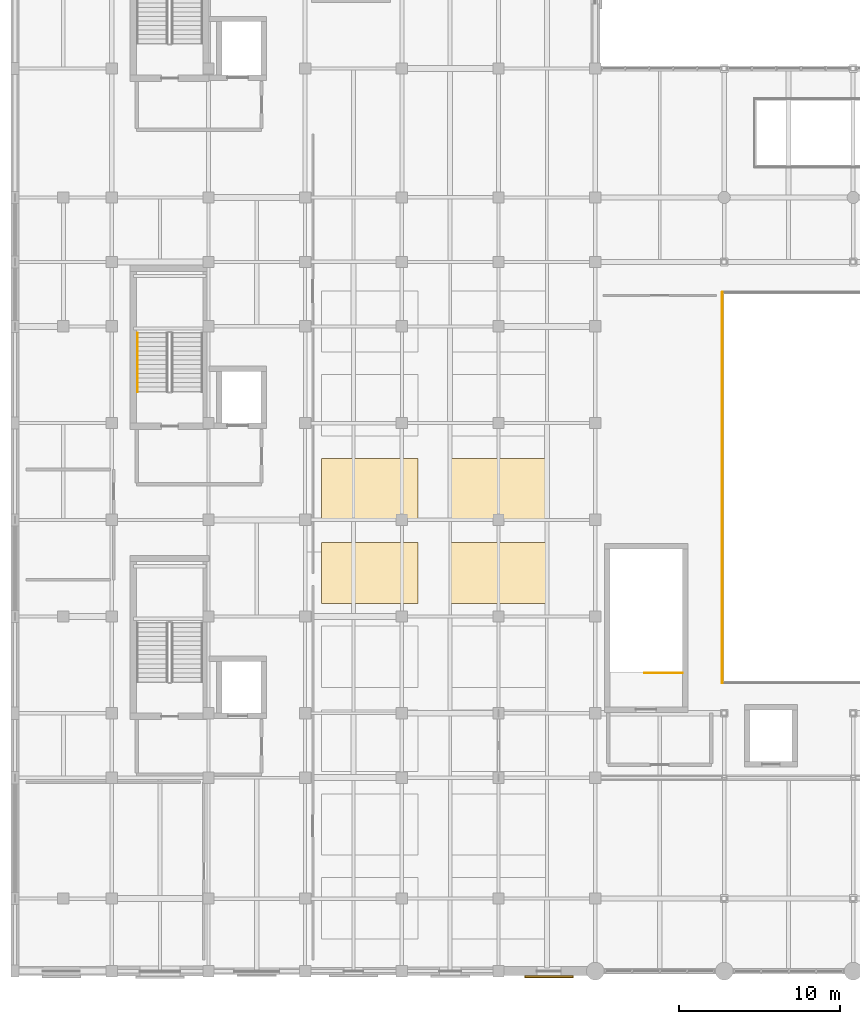
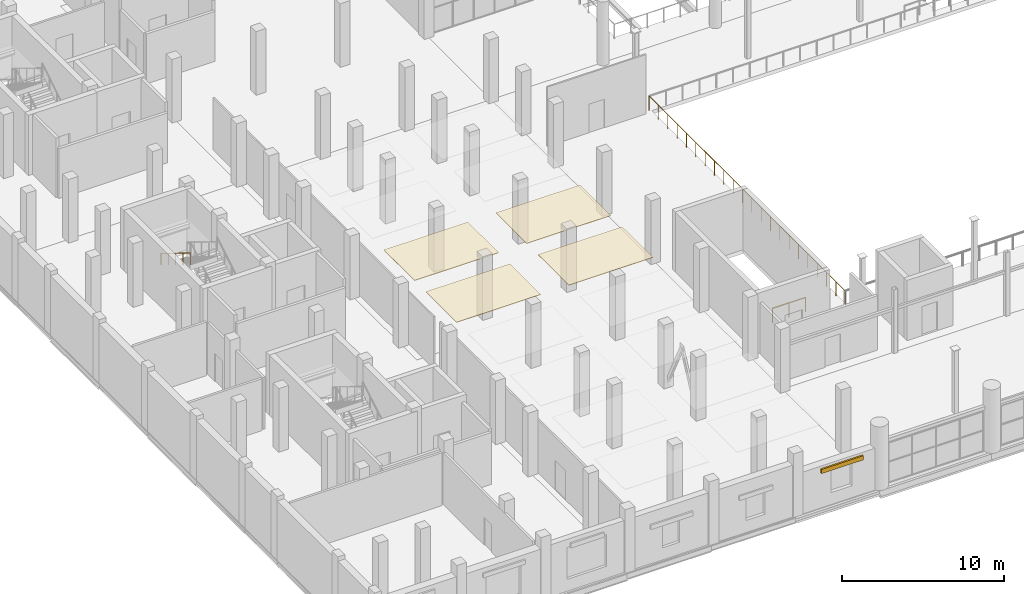
# One storey, part 106 of 114: 4 coverings, 3 railings, 1 shading device.
"""IFC4 building model written with IfcOpenShell, lengths in metres."""

from ifc_helpers import new_model, si_unit, direction, frame, origin, origin_2d, place, context, subcontext, project, spatial, polyline, rectangle, circle, outline, extrude, material, layer, layer_set, type_object, element, save


model = new_model("IFC4")

# Units and contexts
model_context = context("Model", 3, precision=1e-05, world=origin(), true_north=direction((0.0, 1.0)))
body_context = subcontext(model_context, "Body", "Model", "MODEL_VIEW")
ifc_project = project(units=[si_unit("LENGTHUNIT", "METRE"), si_unit("AREAUNIT", "SQUARE_METRE"), si_unit("VOLUMEUNIT", "CUBIC_METRE"), si_unit("PLANEANGLEUNIT", "RADIAN"), si_unit("MASSUNIT", "GRAM", prefix="KILO")], contexts=[model_context])

# Site, building, storey
site_placement = place(None, origin())
site = spatial("IfcSite", under=ifc_project, at=site_placement, CompositionType="ELEMENT")
building_placement = place(site_placement, origin())
building = spatial("IfcBuilding", under=site, at=building_placement, Name="Verrall Gate Interchange", CompositionType="ELEMENT")
storey_placement = place(building_placement, frame((0.0, 0.0, 6.60009765625)))
storey = spatial("IfcBuildingStorey", under=building, at=storey_placement, Name="L02", CompositionType="ELEMENT", Elevation=6.60009765625)

# Coverings
ifc_material_1 = material(Name="Micro-Perforated Acoustic Timber-Veneer Baffle Ceiling", Category="wood")
ifc_layer = layer(ifc_material_1, 0.0400390625)
ifc_layer_set = layer_set([ifc_layer], Name="Micro-Perforated Acoustic Timber-Veneer Baffle Ceiling")
covering_type = type_object("IfcCoveringType", Name="CLG-01 Acoustic Timber-Veneer Baffle Ceiling", PredefinedType="CEILING", material=ifc_layer_set)
covering_1_placement = place(storey_placement, frame((0.0, 0.0, 4.39990234375)))
element("IfcCovering", 1, at=covering_1_placement, inside=storey, type_object=covering_type, Name="L02 Acoustic Timber-Veneer Ceiling Coffer 09", PredefinedType="CEILING", context=body_context, shape_type="SweptSolid", body=[
    extrude(outline(polyline([(19.0, 22.800048828125), (25.0, 22.800048828125), (25.0, 26.60009765625), (19.0, 26.60009765625), (19.0, 22.800048828125)])), origin(), (0.0, 0.0, 1.0), 0.0400390625),
])
covering_2_placement = place(storey_placement, frame((0.0, 0.0, 4.39990234375)))
element("IfcCovering", 2, at=covering_2_placement, inside=storey, type_object=covering_type, Name="L02 Acoustic Timber-Veneer Ceiling Coffer 10", PredefinedType="CEILING", context=body_context, shape_type="SweptSolid", body=[
    extrude(outline(polyline([(27.0, 22.800048828125), (33.0, 22.800048828125), (33.0, 26.60009765625), (27.0, 26.60009765625), (27.0, 22.800048828125)])), origin(), (0.0, 0.0, 1.0), 0.0400390625),
])
covering_3_placement = place(storey_placement, frame((0.0, 0.0, 4.39990234375)))
element("IfcCovering", 3, at=covering_3_placement, inside=storey, type_object=covering_type, Name="L02 Acoustic Timber-Veneer Ceiling Coffer 11", PredefinedType="CEILING", context=body_context, shape_type="SweptSolid", body=[
    extrude(outline(polyline([(19.0, 28.0), (25.0, 28.0), (25.0, 31.800048828125), (19.0, 31.800048828125), (19.0, 28.0)])), origin(), (0.0, 0.0, 1.0), 0.0400390625),
])
covering_4_placement = place(storey_placement, frame((0.0, 0.0, 4.39990234375)))
element("IfcCovering", 4, at=covering_4_placement, inside=storey, type_object=covering_type, Name="L02 Acoustic Timber-Veneer Ceiling Coffer 12", PredefinedType="CEILING", context=body_context, shape_type="SweptSolid", body=[
    extrude(outline(polyline([(27.0, 28.0), (33.0, 28.0), (33.0, 31.800048828125), (27.0, 31.800048828125), (27.0, 28.0)])), origin(), (0.0, 0.0, 1.0), 0.0400390625),
])

# Railings
ifc_material_2 = material(Name="Brushed Stainless-Steel Guardrail and Handrail System", Category="steel")
railing_type_1 = type_object("IfcRailingType", Name="GR-02 Interior Atrium and Stair Guardrail 1100", PredefinedType="GUARDRAIL", material=ifc_material_2)
railing_1_placement = place(storey_placement, frame((41.39990234375, 18.5, 0.0)))
element("IfcRailing", 5, at=railing_1_placement, inside=storey, type_object=railing_type_1, Name="L02 ST-05 top well guard 1", PredefinedType="GUARDRAIL", context=body_context, shape_type="SweptSolid", body=[
    extrude(circle(Radius=0.02392578125, at=origin_2d()), frame((0.0, 0.0, 1.076171875), z_axis=(-1.0, 0.0, 0.0), x_axis=(0.0, -1.0, 0.0)), (0.0, 0.0, 1.0), 2.349853515625),
    extrude(circle(Radius=0.02099609375, at=origin_2d()), origin(), (0.0, 0.0, 1.0), 1.052001953125),
    extrude(circle(Radius=0.02099609375, at=origin_2d()), frame((-1.1748046875, 0.0, 0.0)), (0.0, 0.0, 1.0), 1.052001953125),
    extrude(circle(Radius=0.02099609375, at=origin_2d()), frame((-2.349853515625, 0.0, 0.0)), (0.0, 0.0, 1.0), 1.052001953125),
])
railing_2_placement = place(storey_placement, frame((43.8798828125, 42.1201171875, 0.0)))
element("IfcRailing", 6, at=railing_2_placement, inside=storey, type_object=railing_type_1, Name="L02 V1-VOID Perimeter Guardrail 04", PredefinedType="GUARDRAIL", context=body_context, shape_type="SweptSolid", body=[
    extrude(circle(Radius=0.02392578125, at=origin_2d()), frame((0.0, 0.0, 1.076171875), z_axis=(0.0, -1.0, 0.0), x_axis=(1.0, 0.0, 0.0)), (0.0, 0.0, 1.0), 24.240234375),
    extrude(circle(Radius=0.02099609375, at=origin_2d()), origin(), (0.0, 0.0, 1.0), 1.052001953125),
    extrude(circle(Radius=0.02099609375, at=origin_2d()), frame((0.0, -1.154296875, 0.0)), (0.0, 0.0, 1.0), 1.052001953125),
    extrude(circle(Radius=0.02099609375, at=origin_2d()), frame((0.0, -2.30859375, 0.0)), (0.0, 0.0, 1.0), 1.052001953125),
    extrude(circle(Radius=0.02099609375, at=origin_2d()), frame((0.0, -3.462890625, 0.0)), (0.0, 0.0, 1.0), 1.052001953125),
    extrude(circle(Radius=0.02099609375, at=origin_2d()), frame((0.0, -4.6171875, 0.0)), (0.0, 0.0, 1.0), 1.052001953125),
    extrude(circle(Radius=0.02099609375, at=origin_2d()), frame((0.0, -5.771484375, 0.0)), (0.0, 0.0, 1.0), 1.052001953125),
    extrude(circle(Radius=0.02099609375, at=origin_2d()), frame((0.0, -6.92578125, 0.0)), (0.0, 0.0, 1.0), 1.052001953125),
    extrude(circle(Radius=0.02099609375, at=origin_2d()), frame((0.0, -8.080078125, 0.0)), (0.0, 0.0, 1.0), 1.052001953125),
    extrude(circle(Radius=0.02099609375, at=origin_2d()), frame((0.0, -9.234375, 0.0)), (0.0, 0.0, 1.0), 1.052001953125),
    extrude(circle(Radius=0.02099609375, at=origin_2d()), frame((0.0, -10.388671875, 0.0)), (0.0, 0.0, 1.0), 1.052001953125),
    extrude(circle(Radius=0.02099609375, at=origin_2d()), frame((0.0, -11.54296875, 0.0)), (0.0, 0.0, 1.0), 1.052001953125),
    extrude(circle(Radius=0.02099609375, at=origin_2d()), frame((0.0, -12.697265625, 0.0)), (0.0, 0.0, 1.0), 1.052001953125),
    extrude(circle(Radius=0.02099609375, at=origin_2d()), frame((0.0, -13.8515625, 0.0)), (0.0, 0.0, 1.0), 1.052001953125),
    extrude(circle(Radius=0.02099609375, at=origin_2d()), frame((0.0, -15.005859375, 0.0)), (0.0, 0.0, 1.0), 1.052001953125),
    extrude(circle(Radius=0.02099609375, at=origin_2d()), frame((0.0, -16.16015625, 0.0)), (0.0, 0.0, 1.0), 1.052001953125),
    extrude(circle(Radius=0.02099609375, at=origin_2d()), frame((0.0, -17.314453125, 0.0)), (0.0, 0.0, 1.0), 1.052001953125),
    extrude(circle(Radius=0.02099609375, at=origin_2d()), frame((0.0, -18.46875, 0.0)), (0.0, 0.0, 1.0), 1.052001953125),
    extrude(circle(Radius=0.02099609375, at=origin_2d()), frame((0.0, -19.623046875, 0.0)), (0.0, 0.0, 1.0), 1.052001953125),
    extrude(circle(Radius=0.02099609375, at=origin_2d()), frame((0.0, -20.77734375, 0.0)), (0.0, 0.0, 1.0), 1.052001953125),
    extrude(circle(Radius=0.02099609375, at=origin_2d()), frame((0.0, -21.931640625, 0.0)), (0.0, 0.0, 1.0), 1.052001953125),
    extrude(circle(Radius=0.02099609375, at=origin_2d()), frame((0.0, -23.0859375, 0.0)), (0.0, 0.0, 1.0), 1.052001953125),
    extrude(circle(Radius=0.02099609375, at=origin_2d()), frame((0.0, -24.240234375, 0.0)), (0.0, 0.0, 1.0), 1.052001953125),
])
ifc_material_3 = material(Name="Brushed Stainless-Steel Guardrail and Handrail System", Category="steel")
railing_type_2 = type_object("IfcRailingType", Name="HR-01 Stair and Ramp Pitch-Line Handrail 920", PredefinedType="HANDRAIL", material=ifc_material_3)
railing_3_placement = place(storey_placement, frame((7.60009765625, 39.590087890625, 2.5712890625)))
element("IfcRailing", 7, at=railing_3_placement, inside=storey, type_object=railing_type_2, Name="L02 ST-02 stair handrail 2", PredefinedType="HANDRAIL", context=body_context, shape_type="SweptSolid", body=[
    extrude(circle(Radius=0.02392578125, at=origin_2d()), frame((0.0, 0.0, 0.8759765625), z_axis=(0.0, -0.852865859571, 0.52213008492), x_axis=(1.0, 0.0, 0.0)), (0.0, 0.0, 1.0), 4.26806640625),
    extrude(circle(Radius=0.02099609375, at=origin_2d()), origin(), (0.0, 0.0, 1.0), 0.851806640625),
    extrude(circle(Radius=0.02099609375, at=origin_2d()), frame((0.0, -0.91015625, 0.55712890625)), (0.0, 0.0, 1.0), 0.851806640625),
    extrude(circle(Radius=0.02099609375, at=origin_2d()), frame((0.0, -1.820068359375, 1.1142578125)), (0.0, 0.0, 1.0), 0.851806640625),
    extrude(circle(Radius=0.02099609375, at=origin_2d()), frame((0.0, -2.72998046875, 1.67138671875)), (0.0, 0.0, 1.0), 0.851806640625),
    extrude(circle(Radius=0.02099609375, at=origin_2d()), frame((0.0, -3.64013671875, 2.228515625)), (0.0, 0.0, 1.0), 0.851806640625),
])

# Shading device
ifc_material_4 = material(Name="Architectural Bronze Anodized Extruded Louvre Assembly", Category="aluminium")
shading_device_type = type_object("IfcShadingDeviceType", Name="LV-02 Architectural Intake Louvre 3000x1400", PredefinedType="JALOUSIE", material=ifc_material_4)
shading_device_placement = place(storey_placement, frame((33.12109375, -0.340087890625, 2.65966796875), z_axis=(0.0, 0.0, 1.0), x_axis=(1.0, 0.0, 0.0)))
element("IfcShadingDevice", 8, at=shading_device_placement, inside=storey, type_object=shading_device_type, Name="L02 Architectural Bronze Brise-Soleil Louvre 006", PredefinedType="JALOUSIE", context=body_context, shape_type="SweptSolid", body=[
    extrude(rectangle(XDim=3.0, YDim=0.1201171875, at=origin_2d()), origin(), (0.0, 0.0, 1.0), 0.320068359375),
])

save(model, "model.ifc")
